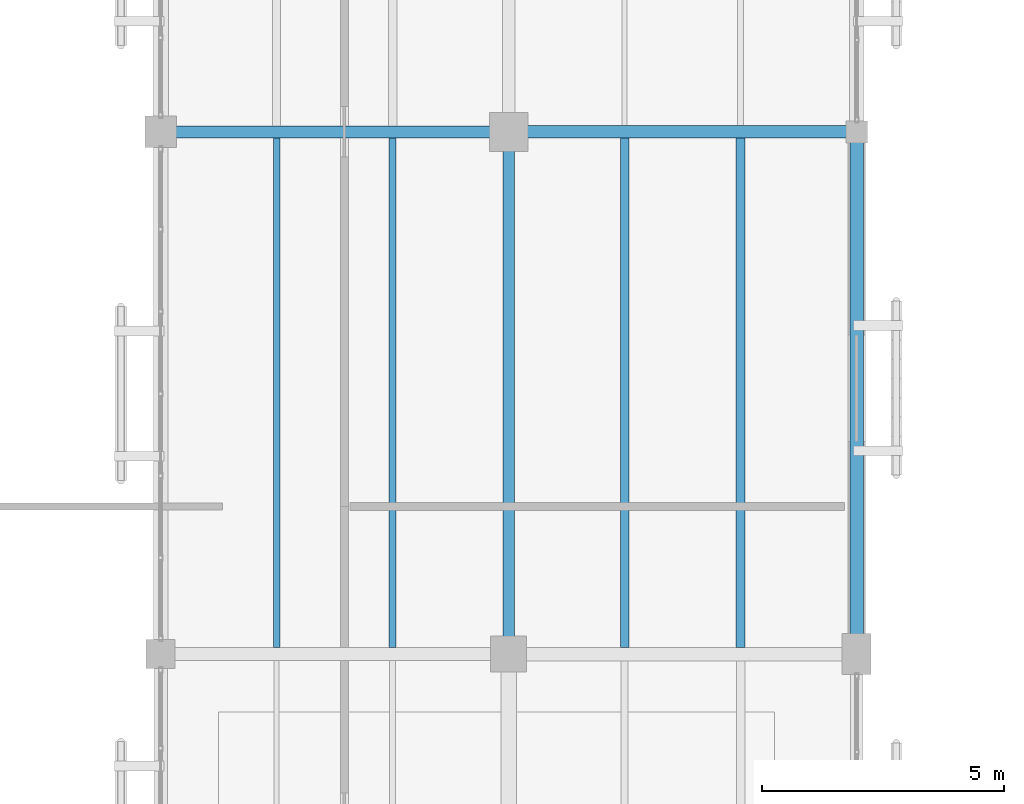
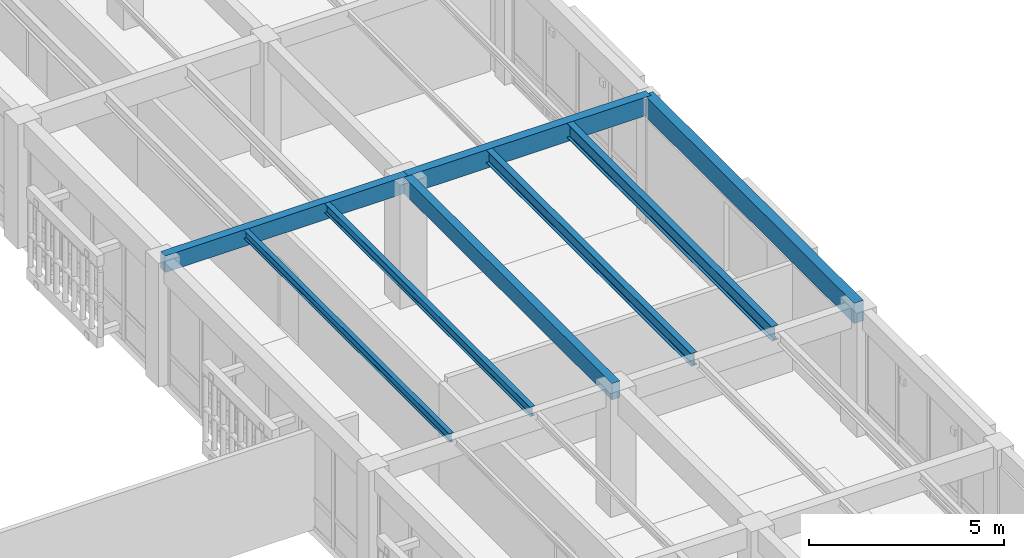
# One storey, part 41 of 170: 8 beams.
"""IFC4 building model written with IfcOpenShell, lengths in metres."""

from ifc_helpers import new_model, si_unit, direction, frame, origin, origin_2d, place, context, subcontext, project, spatial, rectangle, i_section, extrude, material, material_profile, profile_set, type_object, element, save


model = new_model("IFC4")

# Units and contexts
model_context = context("Model", 3, precision=1e-05, world=origin(), true_north=direction((0.0, 1.0)))
body_context = subcontext(model_context, "Body", "Model", "MODEL_VIEW")
ifc_project = project(units=[si_unit("LENGTHUNIT", "METRE"), si_unit("AREAUNIT", "SQUARE_METRE"), si_unit("VOLUMEUNIT", "CUBIC_METRE"), si_unit("PLANEANGLEUNIT", "RADIAN"), si_unit("MASSUNIT", "GRAM", prefix="KILO")], contexts=[model_context])

# Site, building, storey
site_placement = place(None, origin())
site = spatial("IfcSite", under=ifc_project, at=site_placement, CompositionType="ELEMENT")
building_placement = place(site_placement, origin())
building = spatial("IfcBuilding", under=site, at=building_placement, Name="Mazaris Harbour Polytechnic", CompositionType="ELEMENT")
storey_placement = place(building_placement, frame((0.0, 0.0, 5.39990234375)))
storey = spatial("IfcBuildingStorey", under=building, at=storey_placement, Name="L01", CompositionType="ELEMENT", Elevation=5.39990234375)

# Beams
ifc_material_1 = material(Name="Glulam GL32h", Category="wood")
ifc_material_profile_1 = material_profile(ifc_material_1, rectangle(XDim=0.239990234375, YDim=0.52001953125, at=origin_2d()), Name="RECT240x520")
ifc_profile_set_1 = profile_set([ifc_material_profile_1], Name="Glulam GL32h")
beam_type_1 = type_object("IfcBeamType", Name="Glulam Girder 240x520", PredefinedType="BEAM", material=ifc_profile_set_1)
beam_1_placement = place(storey_placement, frame((28.800048828125, 54.0, 3.630126953125), z_axis=(1.0, 0.0, 0.0), x_axis=(0.0, 1.0, 0.0)))
element("IfcBeam", 1, at=beam_1_placement, inside=storey, type_object=beam_type_1, Name="V4 L01 Girder 1660", PredefinedType="BEAM", context=body_context, shape_type="SweptSolid", body=[
    extrude(rectangle(XDim=0.239990234375, YDim=0.52001953125, at=origin_2d()), origin(), (0.0, 0.0, 1.0), 7.199951171875),
])
beam_2_placement = place(storey_placement, frame((36.0, 43.199951171875, 3.630126953125), z_axis=(0.0, 1.0, 0.0), x_axis=(-1.0, 0.0, 0.0)))
element("IfcBeam", 2, at=beam_2_placement, inside=storey, type_object=beam_type_1, Name="V4 L01 Tie Girder 1755", PredefinedType="BEAM", context=body_context, shape_type="SweptSolid", body=[
    extrude(rectangle(XDim=0.239990234375, YDim=0.52001953125, at=origin_2d()), origin(), (0.0, 0.0, 1.0), 10.800048828125),
])
ifc_material_2 = material(Name="Glulam GL32h", Category="wood")
ifc_material_profile_2 = material_profile(ifc_material_2, rectangle(XDim=0.260009765625, YDim=0.580078125, at=origin_2d()), Name="RECT260x580")
ifc_profile_set_2 = profile_set([ifc_material_profile_2], Name="Glulam GL32h")
beam_type_2 = type_object("IfcBeamType", Name="Glulam Girder 260x580", PredefinedType="BEAM", material=ifc_profile_set_2)
beam_3_placement = place(storey_placement, frame((36.0, 54.0, 3.60009765625), z_axis=(1.0, 0.0, 0.0), x_axis=(0.0, 1.0, 0.0)))
element("IfcBeam", 3, at=beam_3_placement, inside=storey, type_object=beam_type_2, Name="V4 L01 Girder 1661", PredefinedType="BEAM", context=body_context, shape_type="SweptSolid", body=[
    extrude(rectangle(XDim=0.260009765625, YDim=0.580078125, at=origin_2d()), origin(), (0.0, 0.0, 1.0), 7.199951171875),
])
ifc_material_3 = material(Name="Glulam GL32h", Category="wood")
ifc_material_profile_3 = material_profile(ifc_material_3, rectangle(XDim=0.280029296875, YDim=0.639892578125, at=origin_2d()), Name="RECT280x640")
ifc_profile_set_3 = profile_set([ifc_material_profile_3], Name="Glulam GL32h")
beam_type_3 = type_object("IfcBeamType", Name="Glulam Girder 280x640 Exterior", PredefinedType="BEAM", material=ifc_profile_set_3)
beam_4_placement = place(storey_placement, frame((43.199951171875, 43.199951171875, 3.570068359375), z_axis=(0.0, 1.0, 0.0), x_axis=(-1.0, 0.0, 0.0)))
element("IfcBeam", 4, at=beam_4_placement, inside=storey, type_object=beam_type_3, Name="V4 L01 Tie Girder 1767", PredefinedType="BEAM", context=body_context, shape_type="SweptSolid", body=[
    extrude(rectangle(XDim=0.280029296875, YDim=0.639892578125, at=origin_2d()), origin(), (0.0, 0.0, 1.0), 10.800048828125),
])
ifc_material_4 = material(Name="Steel S355", Category="steel")
ifc_material_profile_4 = material_profile(ifc_material_4, i_section(OverallWidth=0.135009765625, OverallDepth=0.27001953125, WebThickness=0.006591796875, FlangeThickness=0.01025390625, FilletRadius=0.014892578125, at=origin_2d()), Name="IPE 270")
ifc_profile_set_4 = profile_set([ifc_material_profile_4], Name="Steel S355")
beam_type_4 = type_object("IfcBeamType", Name="Steel Joist IPE270", PredefinedType="JOIST", material=ifc_profile_set_4)
beam_5_placement = place(storey_placement, frame((31.199951171875, 43.330078125, 3.755126953125), z_axis=(0.0, 1.0, 0.0), x_axis=(-1.0, 0.0, 0.0)))
element("IfcBeam", 5, at=beam_5_placement, inside=storey, type_object=beam_type_4, Name="V4 L01 Floor Joist 1857", PredefinedType="JOIST", context=body_context, shape_type="SweptSolid", body=[
    extrude(i_section(OverallWidth=0.135009765625, OverallDepth=0.27001953125, WebThickness=0.006591796875, FlangeThickness=0.01025390625, FilletRadius=0.014892578125, at=origin_2d()), origin(), (0.0, 0.0, 1.0), 10.5498046875),
])
ifc_material_5 = material(Name="Steel S355", Category="steel")
ifc_material_profile_5 = material_profile(ifc_material_5, i_section(OverallWidth=0.14990234375, OverallDepth=0.300048828125, WebThickness=0.007080078125, FlangeThickness=0.0107421875, FilletRadius=0.014892578125, at=origin_2d()), Name="IPE 300")
ifc_profile_set_5 = profile_set([ifc_material_profile_5], Name="Steel S355")
beam_type_5 = type_object("IfcBeamType", Name="Steel Joist IPE300", PredefinedType="JOIST", material=ifc_profile_set_5)
beam_6_placement = place(storey_placement, frame((33.60009765625, 43.330078125, 3.739990234375), z_axis=(0.0, 1.0, 0.0), x_axis=(-1.0, 0.0, 0.0)))
element("IfcBeam", 6, at=beam_6_placement, inside=storey, type_object=beam_type_5, Name="V4 L01 Floor Joist 1858", PredefinedType="JOIST", context=body_context, shape_type="SweptSolid", body=[
    extrude(i_section(OverallWidth=0.14990234375, OverallDepth=0.300048828125, WebThickness=0.007080078125, FlangeThickness=0.0107421875, FilletRadius=0.014892578125, at=origin_2d()), origin(), (0.0, 0.0, 1.0), 10.5498046875),
])
ifc_material_6 = material(Name="Steel S355", Category="steel")
ifc_material_profile_6 = material_profile(ifc_material_6, i_section(OverallWidth=0.179931640625, OverallDepth=0.39990234375, WebThickness=0.008544921875, FlangeThickness=0.013427734375, FilletRadius=0.02099609375, at=origin_2d()), Name="IPE 400")
ifc_profile_set_6 = profile_set([ifc_material_profile_6], Name="Steel S355")
beam_type_6 = type_object("IfcBeamType", Name="Steel Joist IPE400", PredefinedType="JOIST", material=ifc_profile_set_6)
beam_7_placement = place(storey_placement, frame((38.39990234375, 43.340087890625, 3.690185546875), z_axis=(0.0, 1.0, 0.0), x_axis=(-1.0, 0.0, 0.0)))
element("IfcBeam", 7, at=beam_7_placement, inside=storey, type_object=beam_type_6, Name="V4 L01 Floor Joist 1881", PredefinedType="JOIST", context=body_context, shape_type="SweptSolid", body=[
    extrude(i_section(OverallWidth=0.179931640625, OverallDepth=0.39990234375, WebThickness=0.008544921875, FlangeThickness=0.013427734375, FilletRadius=0.02099609375, at=origin_2d()), origin(), (0.0, 0.0, 1.0), 10.530029296875),
])
ifc_material_7 = material(Name="Steel S355", Category="steel")
ifc_material_profile_7 = material_profile(ifc_material_7, i_section(OverallWidth=0.18994140625, OverallDepth=0.449951171875, WebThickness=0.009521484375, FlangeThickness=0.0146484375, FilletRadius=0.02099609375, at=origin_2d()), Name="IPE 450")
ifc_profile_set_7 = profile_set([ifc_material_profile_7], Name="Steel S355")
beam_type_7 = type_object("IfcBeamType", Name="Steel Joist IPE450", PredefinedType="JOIST", material=ifc_profile_set_7)
beam_8_placement = place(storey_placement, frame((40.800048828125, 43.340087890625, 3.6650390625), z_axis=(0.0, 1.0, 0.0), x_axis=(-1.0, 0.0, 0.0)))
element("IfcBeam", 8, at=beam_8_placement, inside=storey, type_object=beam_type_7, Name="V4 L01 Floor Joist 1882", PredefinedType="JOIST", context=body_context, shape_type="SweptSolid", body=[
    extrude(i_section(OverallWidth=0.18994140625, OverallDepth=0.449951171875, WebThickness=0.009521484375, FlangeThickness=0.0146484375, FilletRadius=0.02099609375, at=origin_2d()), origin(), (0.0, 0.0, 1.0), 10.530029296875),
])

save(model, "model.ifc")
